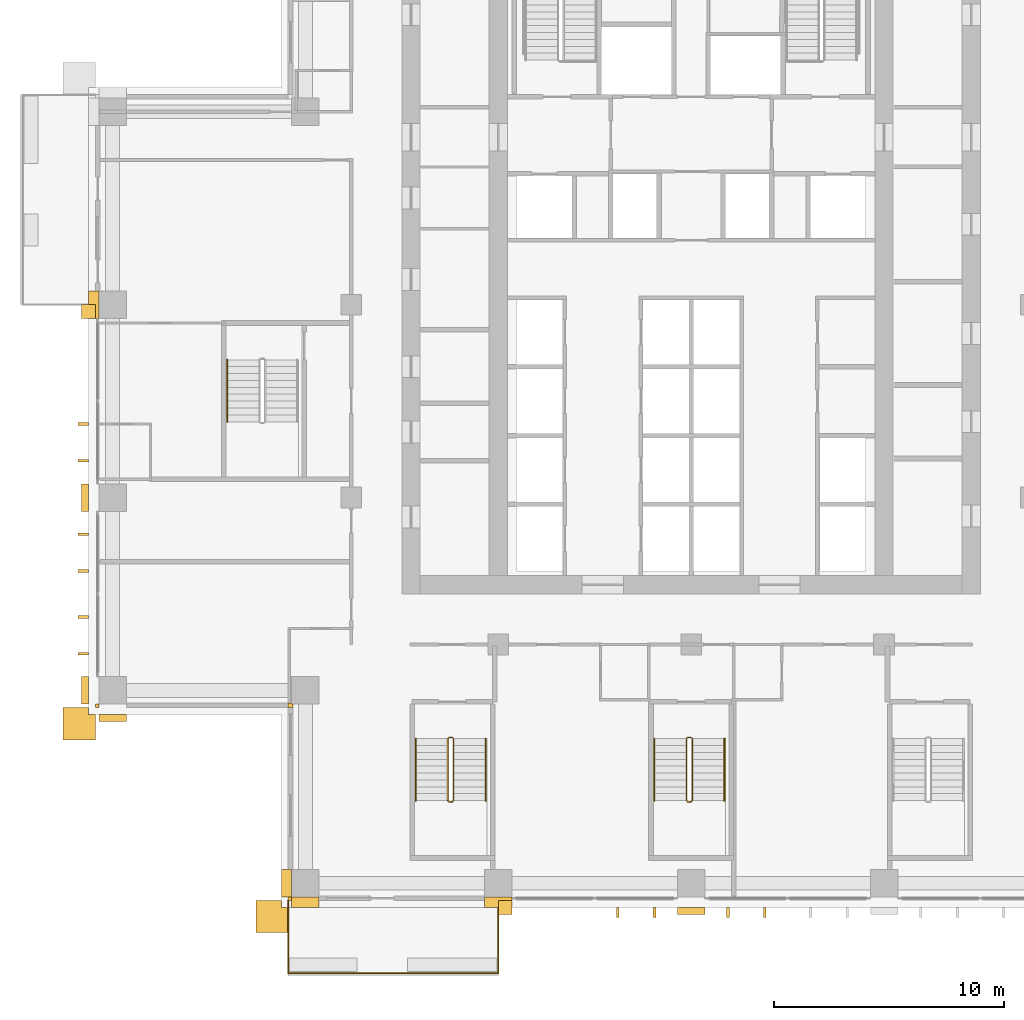
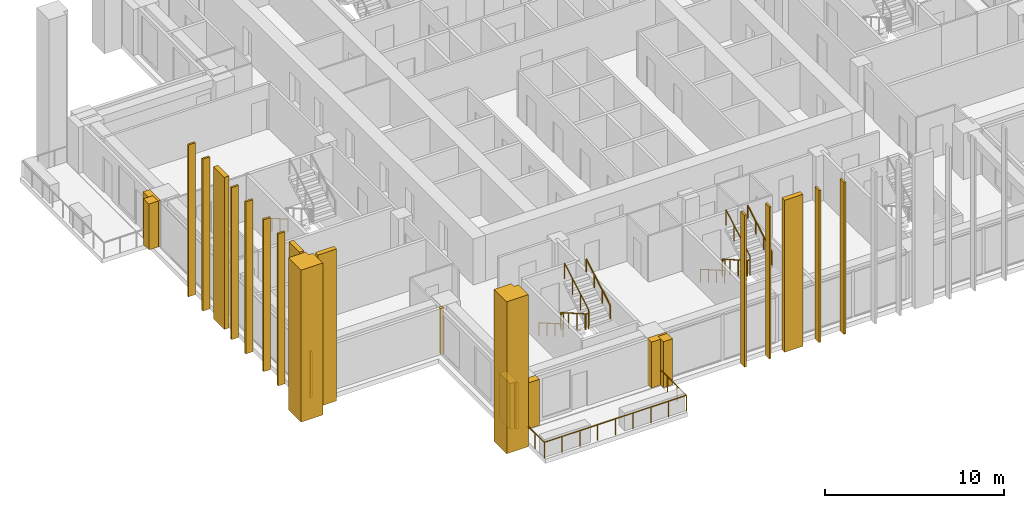
# One storey, part 14 of 18: 25 coverings, 8 railings.
"""IFC4 building model written with IfcOpenShell, lengths in metres."""

from ifc_helpers import new_model, si_unit, direction, frame, origin, origin_2d, place, context, subcontext, project, spatial, polyline, rectangle, outline, extrude, material, layer, layer_set, type_object, element, save


model = new_model("IFC4")

# Units and contexts
model_context = context("Model", 3, precision=1e-05, world=origin(), true_north=direction((0.0, 1.0)))
body_context = subcontext(model_context, "Body", "Model", "MODEL_VIEW")
ifc_project = project(units=[si_unit("LENGTHUNIT", "METRE"), si_unit("AREAUNIT", "SQUARE_METRE"), si_unit("VOLUMEUNIT", "CUBIC_METRE"), si_unit("PLANEANGLEUNIT", "RADIAN"), si_unit("MASSUNIT", "GRAM", prefix="KILO")], contexts=[model_context])

# Site, building, storey
site_placement = place(None, origin())
site = spatial("IfcSite", under=ifc_project, at=site_placement, CompositionType="ELEMENT")
building_placement = place(site_placement, origin())
building = spatial("IfcBuilding", under=site, at=building_placement, Name="Vermilion Ogive Tower", CompositionType="ELEMENT")
storey_placement = place(building_placement, frame((0.0, 0.0, 80.39990234375)))
storey = spatial("IfcBuildingStorey", under=building, at=storey_placement, Name="L19", CompositionType="ELEMENT", Elevation=80.39990234375)

# Railing
ifc_material_1 = material(Name="Stainless steel and glass", Category="steel")
railing_type_1 = type_object("IfcRailingType", Name="Balcony guard", PredefinedType="GUARDRAIL", material=ifc_material_1)
railing_1_placement = place(storey_placement, frame((-17.550048828125, -21.75, -0.039794921875)))
element("IfcRailing", 1, at=railing_1_placement, inside=storey, type_object=railing_type_1, Name="Guard S01", PredefinedType="GUARDRAIL", context=body_context, shape_type="SweptSolid", body=[
    extrude(rectangle(XDim=0.048095703125, YDim=0.048095703125, at=origin_2d()), frame((0.0, 0.0, 1.076171875), z_axis=(0.0, -1.0, 0.0), x_axis=(1.0, 0.0, 0.0)), (0.0, 0.0, 1.0), 3.159912109375),
    extrude(rectangle(XDim=0.048095703125, YDim=0.048095703125, at=origin_2d()), frame((0.0, -3.159912109375, 1.076171875), z_axis=(1.0, 0.0, 0.0), x_axis=(0.0, 1.0, 0.0)), (0.0, 0.0, 1.0), 9.150146484375),
    extrude(rectangle(XDim=0.048095703125, YDim=0.048095703125, at=origin_2d()), frame((9.150146484375, -3.159912109375, 1.076171875), z_axis=(0.0, 1.0, 0.0), x_axis=(-1.0, 0.0, 0.0)), (0.0, 0.0, 1.0), 3.159912109375),
    extrude(rectangle(XDim=0.0419921875, YDim=0.0419921875, at=origin_2d()), origin(), (0.0, 0.0, 1.0), 1.052001953125),
    extrude(rectangle(XDim=0.0419921875, YDim=0.0419921875, at=origin_2d()), frame((0.0, -1.05322265625, 0.0)), (0.0, 0.0, 1.0), 1.052001953125),
    extrude(rectangle(XDim=0.0419921875, YDim=0.0419921875, at=origin_2d()), frame((0.0, -2.106689453125, 0.0)), (0.0, 0.0, 1.0), 1.052001953125),
    extrude(rectangle(XDim=0.0419921875, YDim=0.0419921875, at=origin_2d()), frame((0.0, -3.159912109375, 0.0)), (0.0, 0.0, 1.0), 1.052001953125),
    extrude(rectangle(XDim=0.0419921875, YDim=0.0419921875, at=origin_2d()), frame((1.143798828125, -3.159912109375, 0.0)), (0.0, 0.0, 1.0), 1.052001953125),
    extrude(rectangle(XDim=0.0419921875, YDim=0.0419921875, at=origin_2d()), frame((2.28759765625, -3.159912109375, 0.0)), (0.0, 0.0, 1.0), 1.052001953125),
    extrude(rectangle(XDim=0.0419921875, YDim=0.0419921875, at=origin_2d()), frame((3.431396484375, -3.159912109375, 0.0)), (0.0, 0.0, 1.0), 1.052001953125),
    extrude(rectangle(XDim=0.0419921875, YDim=0.0419921875, at=origin_2d()), frame((4.5751953125, -3.159912109375, 0.0)), (0.0, 0.0, 1.0), 1.052001953125),
    extrude(rectangle(XDim=0.0419921875, YDim=0.0419921875, at=origin_2d()), frame((5.71875, -3.159912109375, 0.0)), (0.0, 0.0, 1.0), 1.052001953125),
    extrude(rectangle(XDim=0.0419921875, YDim=0.0419921875, at=origin_2d()), frame((6.862548828125, -3.159912109375, 0.0)), (0.0, 0.0, 1.0), 1.052001953125),
    extrude(rectangle(XDim=0.0419921875, YDim=0.0419921875, at=origin_2d()), frame((8.00634765625, -3.159912109375, 0.0)), (0.0, 0.0, 1.0), 1.052001953125),
    extrude(rectangle(XDim=0.0419921875, YDim=0.0419921875, at=origin_2d()), frame((9.150146484375, -3.159912109375, 0.0)), (0.0, 0.0, 1.0), 1.052001953125),
    extrude(rectangle(XDim=0.0419921875, YDim=0.0419921875, at=origin_2d()), frame((9.150146484375, -2.106689453125, 0.0)), (0.0, 0.0, 1.0), 1.052001953125),
    extrude(rectangle(XDim=0.0419921875, YDim=0.0419921875, at=origin_2d()), frame((9.150146484375, -1.05322265625, 0.0)), (0.0, 0.0, 1.0), 1.052001953125),
    extrude(rectangle(XDim=0.0419921875, YDim=0.0419921875, at=origin_2d()), frame((9.150146484375, 0.0, 0.0)), (0.0, 0.0, 1.0), 1.052001953125),
])

# Coverings
ifc_material_2 = material(Name="Glazed ceramic screen")
ifc_layer = layer(ifc_material_2, 0.14990234375)
ifc_layer_set = layer_set([ifc_layer], Name="Ceramic solar screen fin")
covering_type_1 = type_object("IfcCoveringType", Name="Ceramic solar screen fin", PredefinedType="CLADDING", material=ifc_layer_set)
covering_1_placement = place(storey_placement, frame((0.0, 0.0, -0.31982421875)))
element("IfcCovering", 2, at=covering_1_placement, inside=storey, type_object=covering_type_1, Name="Solar screen blade S991", PredefinedType="CLADDING", context=body_context, shape_type="SweptSolid", body=[
    extrude(outline(polyline([(-3.260009765625, -22.5), (-3.139892578125, -22.5), (-3.139892578125, -22.050048828125), (-3.260009765625, -22.050048828125), (-3.260009765625, -22.5)])), origin(), (0.0, 0.0, 1.0), 10.349853515625),
])
covering_2_placement = place(storey_placement, frame((0.0, 0.0, -0.31982421875)))
element("IfcCovering", 3, at=covering_2_placement, inside=storey, type_object=covering_type_1, Name="Solar screen blade S992", PredefinedType="CLADDING", context=body_context, shape_type="SweptSolid", body=[
    extrude(outline(polyline([(-1.659912109375, -22.5), (-1.5400390625, -22.5), (-1.5400390625, -22.050048828125), (-1.659912109375, -22.050048828125), (-1.659912109375, -22.5)])), origin(), (0.0, 0.0, 1.0), 10.349853515625),
])
covering_3_placement = place(storey_placement, frame((0.0, 0.0, -0.31982421875)))
element("IfcCovering", 4, at=covering_3_placement, inside=storey, type_object=covering_type_1, Name="Solar screen blade S001", PredefinedType="CLADDING", context=body_context, shape_type="SweptSolid", body=[
    extrude(outline(polyline([(1.5400390625, -22.5), (1.659912109375, -22.5), (1.659912109375, -22.050048828125), (1.5400390625, -22.050048828125), (1.5400390625, -22.5)])), origin(), (0.0, 0.0, 1.0), 10.349853515625),
])
covering_4_placement = place(storey_placement, frame((0.0, 0.0, -0.31982421875)))
element("IfcCovering", 5, at=covering_4_placement, inside=storey, type_object=covering_type_1, Name="Solar screen blade S002", PredefinedType="CLADDING", context=body_context, shape_type="SweptSolid", body=[
    extrude(outline(polyline([(3.139892578125, -22.5), (3.260009765625, -22.5), (3.260009765625, -22.050048828125), (3.139892578125, -22.050048828125), (3.139892578125, -22.5)])), origin(), (0.0, 0.0, 1.0), 10.349853515625),
])
covering_5_placement = place(storey_placement, frame((0.0, 0.0, -0.31982421875)))
element("IfcCovering", 6, at=covering_5_placement, inside=storey, type_object=covering_type_1, Name="Solar screen blade W991", PredefinedType="CLADDING", context=body_context, shape_type="SweptSolid", body=[
    extrude(outline(polyline([(-26.699951171875, -0.93994140625), (-26.699951171875, -1.06005859375), (-26.25, -1.06005859375), (-26.25, -0.93994140625), (-26.699951171875, -0.93994140625)])), origin(), (0.0, 0.0, 1.0), 10.349853515625),
])
covering_6_placement = place(storey_placement, frame((0.0, 0.0, -0.31982421875)))
element("IfcCovering", 7, at=covering_6_placement, inside=storey, type_object=covering_type_1, Name="Solar screen blade W992", PredefinedType="CLADDING", context=body_context, shape_type="SweptSolid", body=[
    extrude(outline(polyline([(-26.699951171875, -2.5400390625), (-26.699951171875, -2.659912109375), (-26.25, -2.659912109375), (-26.25, -2.5400390625), (-26.699951171875, -2.5400390625)])), origin(), (0.0, 0.0, 1.0), 10.349853515625),
])
covering_7_placement = place(storey_placement, frame((0.0, 0.0, -0.31982421875)))
element("IfcCovering", 8, at=covering_7_placement, inside=storey, type_object=covering_type_1, Name="Solar screen blade W971", PredefinedType="CLADDING", context=body_context, shape_type="SweptSolid", body=[
    extrude(outline(polyline([(-26.699951171875, -9.340087890625), (-26.699951171875, -9.4599609375), (-26.25, -9.4599609375), (-26.25, -9.340087890625), (-26.699951171875, -9.340087890625)])), origin(), (0.0, 0.0, 1.0), 10.349853515625),
])
covering_8_placement = place(storey_placement, frame((0.0, 0.0, -0.31982421875)))
element("IfcCovering", 9, at=covering_8_placement, inside=storey, type_object=covering_type_1, Name="Solar screen blade W972", PredefinedType="CLADDING", context=body_context, shape_type="SweptSolid", body=[
    extrude(outline(polyline([(-26.699951171875, -10.93994140625), (-26.699951171875, -11.06005859375), (-26.25, -11.06005859375), (-26.25, -10.93994140625), (-26.699951171875, -10.93994140625)])), origin(), (0.0, 0.0, 1.0), 10.349853515625),
])
covering_9_placement = place(storey_placement, frame((0.0, 0.0, -0.31982421875)))
element("IfcCovering", 10, at=covering_9_placement, inside=storey, type_object=covering_type_1, Name="Solar screen blade W981", PredefinedType="CLADDING", context=body_context, shape_type="SweptSolid", body=[
    extrude(outline(polyline([(-26.699951171875, -5.739990234375), (-26.699951171875, -5.860107421875), (-26.25, -5.860107421875), (-26.25, -5.739990234375), (-26.699951171875, -5.739990234375)])), origin(), (0.0, 0.0, 1.0), 10.349853515625),
])
covering_10_placement = place(storey_placement, frame((0.0, 0.0, -0.31982421875)))
element("IfcCovering", 11, at=covering_10_placement, inside=storey, type_object=covering_type_1, Name="Solar screen blade W982", PredefinedType="CLADDING", context=body_context, shape_type="SweptSolid", body=[
    extrude(outline(polyline([(-26.699951171875, -7.340087890625), (-26.699951171875, -7.4599609375), (-26.25, -7.4599609375), (-26.25, -7.340087890625), (-26.699951171875, -7.340087890625)])), origin(), (0.0, 0.0, 1.0), 10.349853515625),
])

# Railings
ifc_material_3 = material(Name="Steel S355 painted", Category="steel")
railing_type_2 = type_object("IfcRailingType", Name="Stair guard 1100", PredefinedType="GUARDRAIL", material=ifc_material_3)
railing_2_placement = place(storey_placement, frame((-10.39990234375, -14.64990234375, 0.0)))
element("IfcRailing", 12, at=railing_2_placement, inside=storey, type_object=railing_type_2, Name="L19 ST3 stair guard 4", PredefinedType="GUARDRAIL", context=body_context, shape_type="SweptSolid", body=[
    extrude(rectangle(XDim=0.048095703125, YDim=0.048095703125, at=origin_2d()), frame((0.0, 0.0, 1.076171875), z_axis=(-1.0, 0.0, 0.0), x_axis=(0.0, -1.0, 0.0)), (0.0, 0.0, 1.0), 0.150146484375),
    extrude(rectangle(XDim=0.048095703125, YDim=0.048095703125, at=origin_2d()), frame((-0.150146484375, 0.0, 1.076171875), z_axis=(-0.268277960024, -0.268277960024, 0.925231793839), x_axis=(0.707106781187, -0.707106781187, 0.0)), (0.0, 0.0, 1.0), 0.1865234375),
    extrude(rectangle(XDim=0.048095703125, YDim=0.048095703125, at=origin_2d()), frame((-0.2001953125, -0.050048828125, 1.24853515625), z_axis=(0.0, -0.866903762492, 0.498475542607), x_axis=(1.0, 0.0, 0.0)), (0.0, 0.0, 1.0), 3.114501953125),
    extrude(rectangle(XDim=0.048095703125, YDim=0.048095703125, at=origin_2d()), frame((-0.2001953125, -2.75, 2.80126953125), z_axis=(0.707106781187, -0.707106781187, 0.0), x_axis=(0.707106781187, 0.707106781187, 0.0)), (0.0, 0.0, 1.0), 0.07080078125),
    extrude(rectangle(XDim=0.048095703125, YDim=0.048095703125, at=origin_2d()), frame((-0.150146484375, -2.800048828125, 2.80126953125), z_axis=(1.0, 0.0, 0.0), x_axis=(0.0, 1.0, 0.0)), (0.0, 0.0, 1.0), 0.150146484375),
    extrude(rectangle(XDim=0.048095703125, YDim=0.048095703125, at=origin_2d()), frame((0.0, -2.800048828125, 2.80126953125), z_axis=(0.267062837333, 0.268371968888, 0.925556009775), x_axis=(-0.708833529934, 0.705375805398, 0.0)), (0.0, 0.0, 1.0), 0.1865234375),
    extrude(rectangle(XDim=0.048095703125, YDim=0.048095703125, at=origin_2d()), frame((0.0498046875, -2.75, 2.9736328125), z_axis=(0.0, 0.866903762492, 0.498475542607), x_axis=(-1.0, 0.0, 0.0)), (0.0, 0.0, 1.0), 3.114501953125),
    extrude(rectangle(XDim=0.0419921875, YDim=0.0419921875, at=origin_2d()), origin(), (0.0, 0.0, 1.0), 1.052001953125),
    extrude(rectangle(XDim=0.0419921875, YDim=0.0419921875, at=origin_2d()), frame((-0.150146484375, 0.0, 0.0)), (0.0, 0.0, 1.0), 1.052001953125),
    extrude(rectangle(XDim=0.0419921875, YDim=0.0419921875, at=origin_2d()), frame((-0.2001953125, -0.050048828125, 0.172607421875)), (0.0, 0.0, 1.0), 1.052001953125),
    extrude(rectangle(XDim=0.0419921875, YDim=0.0419921875, at=origin_2d()), frame((-0.2001953125, -0.949951171875, 0.690185546875)), (0.0, 0.0, 1.0), 1.052001953125),
    extrude(rectangle(XDim=0.0419921875, YDim=0.0419921875, at=origin_2d()), frame((-0.2001953125, -1.85009765625, 1.20751953125)), (0.0, 0.0, 1.0), 1.052001953125),
    extrude(rectangle(XDim=0.0419921875, YDim=0.0419921875, at=origin_2d()), frame((-0.2001953125, -2.75, 1.72509765625)), (0.0, 0.0, 1.0), 1.052001953125),
    extrude(rectangle(XDim=0.0419921875, YDim=0.0419921875, at=origin_2d()), frame((-0.150146484375, -2.800048828125, 1.72509765625)), (0.0, 0.0, 1.0), 1.052001953125),
    extrude(rectangle(XDim=0.0419921875, YDim=0.0419921875, at=origin_2d()), frame((0.0, -2.800048828125, 1.72509765625)), (0.0, 0.0, 1.0), 1.052001953125),
    extrude(rectangle(XDim=0.0419921875, YDim=0.0419921875, at=origin_2d()), frame((0.0498046875, -2.75, 1.897705078125)), (0.0, 0.0, 1.0), 1.052001953125),
    extrude(rectangle(XDim=0.0419921875, YDim=0.0419921875, at=origin_2d()), frame((0.0498046875, -1.85009765625, 2.415283203125)), (0.0, 0.0, 1.0), 1.052001953125),
    extrude(rectangle(XDim=0.0419921875, YDim=0.0419921875, at=origin_2d()), frame((0.0498046875, -0.949951171875, 2.9326171875)), (0.0, 0.0, 1.0), 1.052001953125),
    extrude(rectangle(XDim=0.0419921875, YDim=0.0419921875, at=origin_2d()), frame((0.0498046875, -0.050048828125, 3.4501953125)), (0.0, 0.0, 1.0), 1.052001953125),
])
railing_3_placement = place(storey_placement, frame((0.0, -14.64990234375, 0.0)))
element("IfcRailing", 13, at=railing_3_placement, inside=storey, type_object=railing_type_2, Name="L19 ST4 stair guard 4", PredefinedType="GUARDRAIL", context=body_context, shape_type="SweptSolid", body=[
    extrude(rectangle(XDim=0.048095703125, YDim=0.048095703125, at=origin_2d()), frame((0.0, 0.0, 1.076171875), z_axis=(-1.0, 0.0, 0.0), x_axis=(0.0, -1.0, 0.0)), (0.0, 0.0, 1.0), 0.14990234375),
    extrude(rectangle(XDim=0.048095703125, YDim=0.048095703125, at=origin_2d()), frame((-0.14990234375, 0.0, 1.076171875), z_axis=(-0.268277960024, -0.268277960024, 0.925231793839), x_axis=(0.707106781187, -0.707106781187, 0.0)), (0.0, 0.0, 1.0), 0.1865234375),
    extrude(rectangle(XDim=0.048095703125, YDim=0.048095703125, at=origin_2d()), frame((-0.199951171875, -0.050048828125, 1.24853515625), z_axis=(0.0, -0.866903762492, 0.498475542607), x_axis=(1.0, 0.0, 0.0)), (0.0, 0.0, 1.0), 3.114501953125),
    extrude(rectangle(XDim=0.048095703125, YDim=0.048095703125, at=origin_2d()), frame((-0.199951171875, -2.75, 2.80126953125), z_axis=(0.707106781187, -0.707106781187, 0.0), x_axis=(0.707106781187, 0.707106781187, 0.0)), (0.0, 0.0, 1.0), 0.07080078125),
    extrude(rectangle(XDim=0.048095703125, YDim=0.048095703125, at=origin_2d()), frame((-0.14990234375, -2.800048828125, 2.80126953125), z_axis=(1.0, 0.0, 0.0), x_axis=(0.0, 1.0, 0.0)), (0.0, 0.0, 1.0), 0.14990234375),
    extrude(rectangle(XDim=0.048095703125, YDim=0.048095703125, at=origin_2d()), frame((0.0, -2.800048828125, 2.80126953125), z_axis=(0.268277960024, 0.268277960024, 0.925231793839), x_axis=(-0.707106781187, 0.707106781187, 0.0)), (0.0, 0.0, 1.0), 0.1865234375),
    extrude(rectangle(XDim=0.048095703125, YDim=0.048095703125, at=origin_2d()), frame((0.050048828125, -2.75, 2.9736328125), z_axis=(0.0, 0.866903762492, 0.498475542607), x_axis=(-1.0, 0.0, 0.0)), (0.0, 0.0, 1.0), 3.114501953125),
    extrude(rectangle(XDim=0.0419921875, YDim=0.0419921875, at=origin_2d()), origin(), (0.0, 0.0, 1.0), 1.052001953125),
    extrude(rectangle(XDim=0.0419921875, YDim=0.0419921875, at=origin_2d()), frame((-0.14990234375, 0.0, 0.0)), (0.0, 0.0, 1.0), 1.052001953125),
    extrude(rectangle(XDim=0.0419921875, YDim=0.0419921875, at=origin_2d()), frame((-0.199951171875, -0.050048828125, 0.172607421875)), (0.0, 0.0, 1.0), 1.052001953125),
    extrude(rectangle(XDim=0.0419921875, YDim=0.0419921875, at=origin_2d()), frame((-0.199951171875, -0.949951171875, 0.690185546875)), (0.0, 0.0, 1.0), 1.052001953125),
    extrude(rectangle(XDim=0.0419921875, YDim=0.0419921875, at=origin_2d()), frame((-0.199951171875, -1.85009765625, 1.20751953125)), (0.0, 0.0, 1.0), 1.052001953125),
    extrude(rectangle(XDim=0.0419921875, YDim=0.0419921875, at=origin_2d()), frame((-0.199951171875, -2.75, 1.72509765625)), (0.0, 0.0, 1.0), 1.052001953125),
    extrude(rectangle(XDim=0.0419921875, YDim=0.0419921875, at=origin_2d()), frame((-0.14990234375, -2.800048828125, 1.72509765625)), (0.0, 0.0, 1.0), 1.052001953125),
    extrude(rectangle(XDim=0.0419921875, YDim=0.0419921875, at=origin_2d()), frame((0.0, -2.800048828125, 1.72509765625)), (0.0, 0.0, 1.0), 1.052001953125),
    extrude(rectangle(XDim=0.0419921875, YDim=0.0419921875, at=origin_2d()), frame((0.050048828125, -2.75, 1.897705078125)), (0.0, 0.0, 1.0), 1.052001953125),
    extrude(rectangle(XDim=0.0419921875, YDim=0.0419921875, at=origin_2d()), frame((0.050048828125, -1.85009765625, 2.415283203125)), (0.0, 0.0, 1.0), 1.052001953125),
    extrude(rectangle(XDim=0.0419921875, YDim=0.0419921875, at=origin_2d()), frame((0.050048828125, -0.949951171875, 2.9326171875)), (0.0, 0.0, 1.0), 1.052001953125),
    extrude(rectangle(XDim=0.0419921875, YDim=0.0419921875, at=origin_2d()), frame((0.050048828125, -0.050048828125, 3.4501953125)), (0.0, 0.0, 1.0), 1.052001953125),
])
ifc_material_4 = material(Name="Stainless steel", Category="steel")
railing_type_3 = type_object("IfcRailingType", Name="Stair handrail 900", PredefinedType="HANDRAIL", material=ifc_material_4)
railing_4_placement = place(storey_placement, frame((-12.0, -14.699951171875, 0.172607421875)))
element("IfcRailing", 14, at=railing_4_placement, inside=storey, type_object=railing_type_3, Name="L19 ST3 stair handrail 1", PredefinedType="HANDRAIL", context=body_context, shape_type="SweptSolid", body=[
    extrude(rectangle(XDim=0.048095703125, YDim=0.048095703125, at=origin_2d()), frame((0.0, 0.0, 0.8759765625), z_axis=(0.0, -0.866903762492, 0.498475542607), x_axis=(1.0, 0.0, 0.0)), (0.0, 0.0, 1.0), 3.114501953125),
    extrude(rectangle(XDim=0.0419921875, YDim=0.0419921875, at=origin_2d()), origin(), (0.0, 0.0, 1.0), 0.851806640625),
    extrude(rectangle(XDim=0.0419921875, YDim=0.0419921875, at=origin_2d()), frame((0.0, -0.89990234375, 0.517578125)), (0.0, 0.0, 1.0), 0.851806640625),
    extrude(rectangle(XDim=0.0419921875, YDim=0.0419921875, at=origin_2d()), frame((0.0, -1.800048828125, 1.034912109375)), (0.0, 0.0, 1.0), 0.851806640625),
    extrude(rectangle(XDim=0.0419921875, YDim=0.0419921875, at=origin_2d()), frame((0.0, -2.699951171875, 1.552490234375)), (0.0, 0.0, 1.0), 0.851806640625),
])
railing_5_placement = place(storey_placement, frame((-8.949951171875, -17.39990234375, 1.897705078125)))
element("IfcRailing", 15, at=railing_5_placement, inside=storey, type_object=railing_type_3, Name="L19 ST3 stair handrail 2", PredefinedType="HANDRAIL", context=body_context, shape_type="SweptSolid", body=[
    extrude(rectangle(XDim=0.048095703125, YDim=0.048095703125, at=origin_2d()), frame((0.0, 0.0, 0.8759765625), z_axis=(0.0, 0.866903762492, 0.498475542607), x_axis=(-1.0, 0.0, 0.0)), (0.0, 0.0, 1.0), 3.114501953125),
    extrude(rectangle(XDim=0.0419921875, YDim=0.0419921875, at=origin_2d()), origin(), (0.0, 0.0, 1.0), 0.851806640625),
    extrude(rectangle(XDim=0.0419921875, YDim=0.0419921875, at=origin_2d()), frame((0.0, 0.89990234375, 0.517578125)), (0.0, 0.0, 1.0), 0.851806640625),
    extrude(rectangle(XDim=0.0419921875, YDim=0.0419921875, at=origin_2d()), frame((0.0, 1.800048828125, 1.034912109375)), (0.0, 0.0, 1.0), 0.851806640625),
    extrude(rectangle(XDim=0.0419921875, YDim=0.0419921875, at=origin_2d()), frame((0.0, 2.699951171875, 1.552490234375)), (0.0, 0.0, 1.0), 0.851806640625),
])
railing_6_placement = place(storey_placement, frame((-1.60009765625, -14.699951171875, 0.172607421875)))
element("IfcRailing", 16, at=railing_6_placement, inside=storey, type_object=railing_type_3, Name="L19 ST4 stair handrail 1", PredefinedType="HANDRAIL", context=body_context, shape_type="SweptSolid", body=[
    extrude(rectangle(XDim=0.048095703125, YDim=0.048095703125, at=origin_2d()), frame((0.0, 0.0, 0.8759765625), z_axis=(0.0, -0.866903762492, 0.498475542607), x_axis=(1.0, 0.0, 0.0)), (0.0, 0.0, 1.0), 3.114501953125),
    extrude(rectangle(XDim=0.0419921875, YDim=0.0419921875, at=origin_2d()), origin(), (0.0, 0.0, 1.0), 0.851806640625),
    extrude(rectangle(XDim=0.0419921875, YDim=0.0419921875, at=origin_2d()), frame((0.0, -0.89990234375, 0.517578125)), (0.0, 0.0, 1.0), 0.851806640625),
    extrude(rectangle(XDim=0.0419921875, YDim=0.0419921875, at=origin_2d()), frame((0.0, -1.800048828125, 1.034912109375)), (0.0, 0.0, 1.0), 0.851806640625),
    extrude(rectangle(XDim=0.0419921875, YDim=0.0419921875, at=origin_2d()), frame((0.0, -2.699951171875, 1.552490234375)), (0.0, 0.0, 1.0), 0.851806640625),
])
railing_7_placement = place(storey_placement, frame((1.449951171875, -17.39990234375, 1.897705078125)))
element("IfcRailing", 17, at=railing_7_placement, inside=storey, type_object=railing_type_3, Name="L19 ST4 stair handrail 2", PredefinedType="HANDRAIL", context=body_context, shape_type="SweptSolid", body=[
    extrude(rectangle(XDim=0.048095703125, YDim=0.048095703125, at=origin_2d()), frame((0.0, 0.0, 0.8759765625), z_axis=(0.0, 0.866903762492, 0.498475542607), x_axis=(-1.0, 0.0, 0.0)), (0.0, 0.0, 1.0), 3.114501953125),
    extrude(rectangle(XDim=0.0419921875, YDim=0.0419921875, at=origin_2d()), origin(), (0.0, 0.0, 1.0), 0.851806640625),
    extrude(rectangle(XDim=0.0419921875, YDim=0.0419921875, at=origin_2d()), frame((0.0, 0.89990234375, 0.517578125)), (0.0, 0.0, 1.0), 0.851806640625),
    extrude(rectangle(XDim=0.0419921875, YDim=0.0419921875, at=origin_2d()), frame((0.0, 1.800048828125, 1.034912109375)), (0.0, 0.0, 1.0), 0.851806640625),
    extrude(rectangle(XDim=0.0419921875, YDim=0.0419921875, at=origin_2d()), frame((0.0, 2.699951171875, 1.552490234375)), (0.0, 0.0, 1.0), 0.851806640625),
])
railing_8_placement = place(storey_placement, frame((-20.199951171875, 1.800048828125, 0.172607421875)))
element("IfcRailing", 18, at=railing_8_placement, inside=storey, type_object=railing_type_3, Name="L19 ST9 stair handrail 1", PredefinedType="HANDRAIL", context=body_context, shape_type="SweptSolid", body=[
    extrude(rectangle(XDim=0.048095703125, YDim=0.048095703125, at=origin_2d()), frame((0.0, 0.0, 0.8759765625), z_axis=(0.0, -0.866903762492, 0.498475542607), x_axis=(1.0, 0.0, 0.0)), (0.0, 0.0, 1.0), 3.114501953125),
    extrude(rectangle(XDim=0.0419921875, YDim=0.0419921875, at=origin_2d()), origin(), (0.0, 0.0, 1.0), 0.851806640625),
    extrude(rectangle(XDim=0.0419921875, YDim=0.0419921875, at=origin_2d()), frame((0.0, -0.89990234375, 0.517578125)), (0.0, 0.0, 1.0), 0.851806640625),
    extrude(rectangle(XDim=0.0419921875, YDim=0.0419921875, at=origin_2d()), frame((0.0, -1.800048828125, 1.034912109375)), (0.0, 0.0, 1.0), 0.851806640625),
    extrude(rectangle(XDim=0.0419921875, YDim=0.0419921875, at=origin_2d()), frame((0.0, -2.699951171875, 1.552490234375)), (0.0, 0.0, 1.0), 0.851806640625),
])

# Coverings
ifc_material_5 = material(Name="Stone cladding", Category="masonry")
covering_type_2 = type_object("IfcCoveringType", Name="Stone corner buttress", PredefinedType="CLADDING", material=ifc_material_5)
covering_11_placement = place(storey_placement, origin())
element("IfcCovering", 19, at=covering_11_placement, inside=storey, type_object=covering_type_2, Name="Stone crease pier SK", PredefinedType="CLADDING", context=body_context, shape_type="SweptSolid", body=[
    extrude(outline(polyline([(-8.39990234375, -22.35009765625), (-7.800048828125, -22.35009765625), (-7.800048828125, -21.75), (-8.39990234375, -21.75), (-8.39990234375, -22.35009765625)])), origin(), (0.0, 0.0, 1.0), 3.130126953125),
])
covering_12_placement = place(storey_placement, origin())
element("IfcCovering", 20, at=covering_12_placement, inside=storey, type_object=covering_type_2, Name="Stone crease pier WK", PredefinedType="CLADDING", context=body_context, shape_type="SweptSolid", body=[
    extrude(outline(polyline([(-26.550048828125, 4.199951171875), (-26.550048828125, 3.60009765625), (-25.949951171875, 3.60009765625), (-25.949951171875, 4.199951171875), (-26.550048828125, 4.199951171875)])), origin(), (0.0, 0.0, 1.0), 3.130126953125),
])
covering_13_placement = place(storey_placement, frame((0.0, 0.0, -0.31982421875)))
element("IfcCovering", 21, at=covering_13_placement, inside=storey, type_object=covering_type_2, Name="Stone corner buttress S1", PredefinedType="CLADDING", context=body_context, shape_type="SweptSolid", body=[
    extrude(outline(polyline([(-17.85009765625, -22.050048828125), (-17.550048828125, -22.050048828125), (-17.550048828125, -23.14990234375), (-18.949951171875, -23.14990234375), (-18.949951171875, -21.75), (-17.85009765625, -21.75), (-17.85009765625, -22.050048828125)])), origin(), (0.0, 0.0, 1.0), 10.349853515625),
])
covering_14_placement = place(storey_placement, frame((0.0, 0.0, -0.31982421875)))
element("IfcCovering", 22, at=covering_14_placement, inside=storey, type_object=covering_type_2, Name="Stone corner buttress X71", PredefinedType="CLADDING", context=body_context, shape_type="SweptSolid", body=[
    extrude(outline(polyline([(-26.25, -13.35009765625), (-26.25, -13.64990234375), (-25.949951171875, -13.64990234375), (-25.949951171875, -14.75), (-27.35009765625, -14.75), (-27.35009765625, -13.35009765625), (-26.25, -13.35009765625)])), origin(), (0.0, 0.0, 1.0), 10.349853515625),
])
ifc_material_6 = material(Name="Stone cladding", Category="masonry")
covering_type_3 = type_object("IfcCoveringType", Name="Stone pier", PredefinedType="CLADDING", material=ifc_material_6)
covering_15_placement = place(storey_placement, origin())
element("IfcCovering", 23, at=covering_15_placement, inside=storey, type_object=covering_type_3, Name="Stone corner pier WE1", PredefinedType="CLADDING", context=body_context, shape_type="SweptSolid", body=[
    extrude(outline(polyline([(-25.949951171875, -13.199951171875), (-25.800048828125, -13.199951171875), (-25.800048828125, -13.35009765625), (-25.949951171875, -13.35009765625), (-25.949951171875, -13.199951171875)])), origin(), (0.0, 0.0, 1.0), 3.130126953125),
])
covering_16_placement = place(storey_placement, origin())
element("IfcCovering", 24, at=covering_16_placement, inside=storey, type_object=covering_type_3, Name="Stone corner pier X7E1", PredefinedType="CLADDING", context=body_context, shape_type="SweptSolid", body=[
    extrude(outline(polyline([(-17.39990234375, -13.14990234375), (-17.39990234375, -13.199951171875), (-17.35009765625, -13.199951171875), (-17.35009765625, -13.35009765625), (-17.550048828125, -13.35009765625), (-17.550048828125, -13.14990234375), (-17.39990234375, -13.14990234375)])), origin(), (0.0, 0.0, 1.0), 3.130126953125),
])
covering_17_placement = place(storey_placement, origin())
element("IfcCovering", 25, at=covering_17_placement, inside=storey, type_object=covering_type_3, Name="Stone corner pier X8E1", PredefinedType="CLADDING", context=body_context, shape_type="SweptSolid", body=[
    extrude(outline(polyline([(-17.550048828125, -21.60009765625), (-17.39990234375, -21.60009765625), (-17.39990234375, -21.60009765625), (-17.39990234375, -21.75), (-17.550048828125, -21.75), (-17.550048828125, -21.60009765625)])), origin(), (0.0, 0.0, 1.0), 3.130126953125),
])
covering_18_placement = place(storey_placement, frame((0.0, 0.0, -0.31982421875)))
element("IfcCovering", 26, at=covering_18_placement, inside=storey, type_object=covering_type_3, Name="Stone pier P+0000-210", PredefinedType="CLADDING", context=body_context, shape_type="SweptSolid", body=[
    extrude(outline(polyline([(0.60009765625, -22.35009765625), (-0.60009765625, -22.35009765625), (-0.60009765625, -22.050048828125), (0.60009765625, -22.050048828125), (0.60009765625, -22.35009765625)])), origin(), (0.0, 0.0, 1.0), 10.349853515625),
])
covering_19_placement = place(storey_placement, frame((0.0, 0.0, -0.31982421875)))
element("IfcCovering", 27, at=covering_19_placement, inside=storey, type_object=covering_type_3, Name="Stone pier P-0252-042", PredefinedType="CLADDING", context=body_context, shape_type="SweptSolid", body=[
    extrude(outline(polyline([(-26.550048828125, -4.800048828125), (-26.550048828125, -3.60009765625), (-26.25, -3.60009765625), (-26.25, -4.800048828125), (-26.550048828125, -4.800048828125)])), origin(), (0.0, 0.0, 1.0), 10.349853515625),
])
covering_20_placement = place(storey_placement, frame((0.0, 0.0, -0.31982421875)))
element("IfcCovering", 28, at=covering_20_placement, inside=storey, type_object=covering_type_3, Name="Stone pier P-0252-126W", PredefinedType="CLADDING", context=body_context, shape_type="SweptSolid", body=[
    extrude(outline(polyline([(-26.550048828125, -13.199951171875), (-26.550048828125, -12.0), (-26.25, -12.0), (-26.25, -13.199951171875), (-26.550048828125, -13.199951171875)])), origin(), (0.0, 0.0, 1.0), 10.349853515625),
])
covering_21_placement = place(storey_placement, frame((0.0, 0.0, -0.31982421875)))
element("IfcCovering", 29, at=covering_21_placement, inside=storey, type_object=covering_type_3, Name="Stone pier P-0252-126X7", PredefinedType="CLADDING", context=body_context, shape_type="SweptSolid", body=[
    extrude(outline(polyline([(-25.800048828125, -13.949951171875), (-25.800048828125, -13.64990234375), (-24.60009765625, -13.64990234375), (-24.60009765625, -13.949951171875), (-25.800048828125, -13.949951171875)])), origin(), (0.0, 0.0, 1.0), 10.349853515625),
])
covering_22_placement = place(storey_placement, origin())
element("IfcCovering", 30, at=covering_22_placement, inside=storey, type_object=covering_type_3, Name="Stone pier P-0084-210", PredefinedType="CLADDING", context=body_context, shape_type="SweptSolid", body=[
    extrude(outline(polyline([(-7.800048828125, -21.75), (-8.39990234375, -21.75), (-8.39990234375, -22.050048828125), (-9.0, -22.050048828125), (-9.0, -21.60009765625), (-7.800048828125, -21.60009765625), (-7.800048828125, -21.75)])), origin(), (0.0, 0.0, 1.0), 3.130126953125),
])
covering_23_placement = place(storey_placement, origin())
element("IfcCovering", 31, at=covering_23_placement, inside=storey, type_object=covering_type_3, Name="Stone pier P-0168-210S", PredefinedType="CLADDING", context=body_context, shape_type="SweptSolid", body=[
    extrude(outline(polyline([(-16.199951171875, -22.050048828125), (-17.39990234375, -22.050048828125), (-17.39990234375, -21.60009765625), (-16.199951171875, -21.60009765625), (-16.199951171875, -22.050048828125)])), origin(), (0.0, 0.0, 1.0), 3.130126953125),
])
covering_24_placement = place(storey_placement, origin())
element("IfcCovering", 32, at=covering_24_placement, inside=storey, type_object=covering_type_3, Name="Stone pier P-0168-210X8", PredefinedType="CLADDING", context=body_context, shape_type="SweptSolid", body=[
    extrude(outline(polyline([(-17.85009765625, -20.39990234375), (-17.39990234375, -20.39990234375), (-17.39990234375, -21.60009765625), (-17.85009765625, -21.60009765625), (-17.85009765625, -20.39990234375)])), origin(), (0.0, 0.0, 1.0), 3.130126953125),
])
covering_25_placement = place(storey_placement, origin())
element("IfcCovering", 33, at=covering_25_placement, inside=storey, type_object=covering_type_3, Name="Stone pier P-0252+042", PredefinedType="CLADDING", context=body_context, shape_type="SweptSolid", body=[
    extrude(outline(polyline([(-25.800048828125, 3.60009765625), (-25.949951171875, 3.60009765625), (-25.949951171875, 4.199951171875), (-26.25, 4.199951171875), (-26.25, 4.800048828125), (-25.800048828125, 4.800048828125), (-25.800048828125, 4.800048828125), (-25.800048828125, 3.60009765625)])), origin(), (0.0, 0.0, 1.0), 3.130126953125),
])

save(model, "model.ifc")
